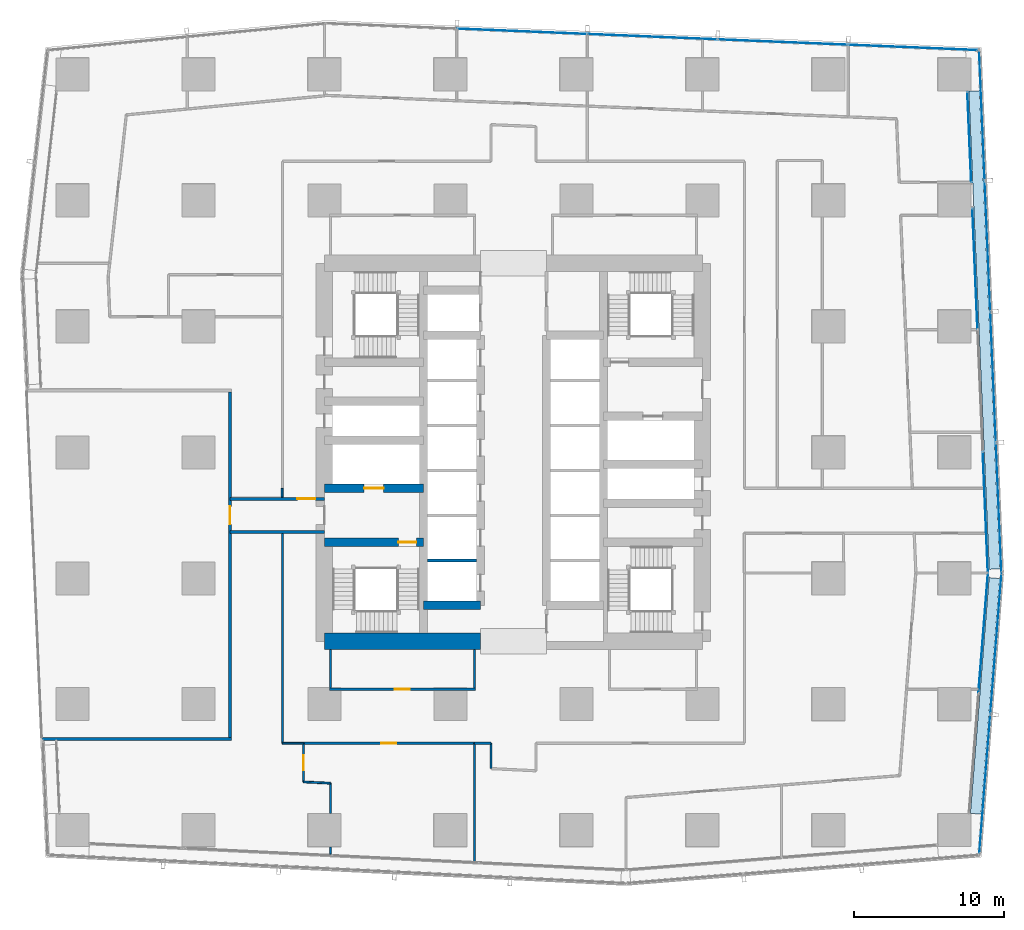
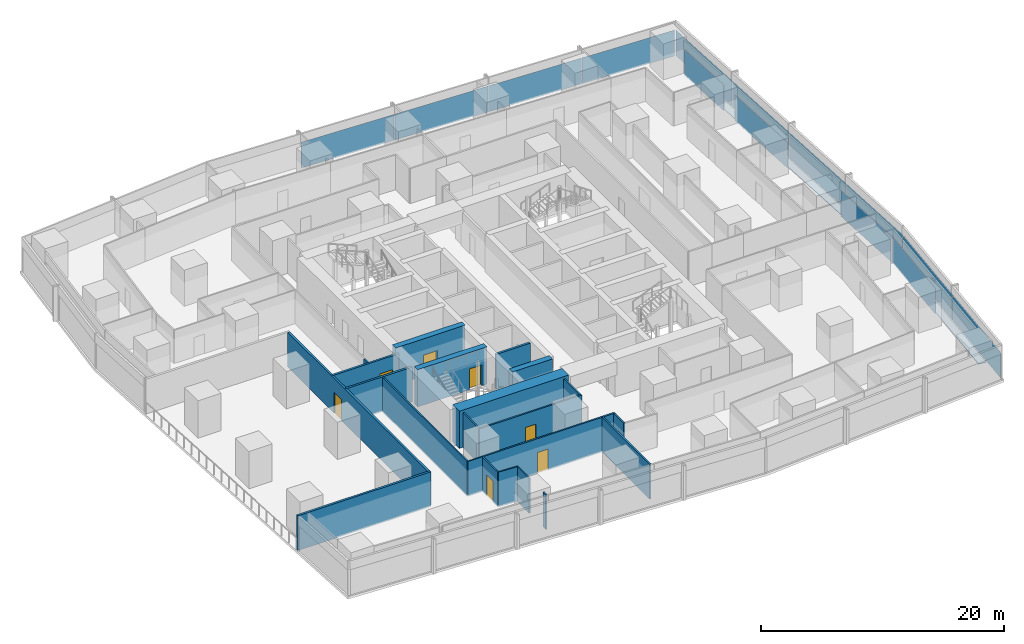
# One storey, part 29 of 42: 23 walls, 16 plates, 7 doors, 7 openings, 6 elements without a shape of their own.
"""IFC4 building model written with IfcOpenShell, lengths in metres."""

from ifc_helpers import new_model, si_unit, direction, frame, frame_2d, origin, origin_2d, place, context, subcontext, project, spatial, rectangle, extrude, material, layer, layer_set, type_object, element, fill, aggregate, save


model = new_model("IFC4")

# Units and contexts
model_context = context("Model", 3, precision=1e-05, world=origin(), true_north=direction((0.0, 1.0)))
body_context = subcontext(model_context, "Body", "Model", "MODEL_VIEW")
ifc_project = project(units=[si_unit("LENGTHUNIT", "METRE"), si_unit("AREAUNIT", "SQUARE_METRE"), si_unit("VOLUMEUNIT", "CUBIC_METRE"), si_unit("PLANEANGLEUNIT", "RADIAN"), si_unit("MASSUNIT", "GRAM", prefix="KILO")], contexts=[model_context])

# Site, building, storey
site_placement = place(None, origin())
site = spatial("IfcSite", under=ifc_project, at=site_placement, CompositionType="ELEMENT")
building_placement = place(site_placement, origin())
building = spatial("IfcBuilding", under=site, at=building_placement, Name="Rekha Terrace Tower", CompositionType="ELEMENT")
storey_placement = place(building_placement, frame((0.0, 0.0, 55.39990234375)))
storey = spatial("IfcBuildingStorey", under=building, at=storey_placement, Name="L13", CompositionType="ELEMENT", Elevation=55.39990234375)

# Curtain wall, plate
ifc_material_1 = material(Name="Aluminium framing", Category="aluminium")
curtain_wall_type_1 = type_object("IfcCurtainWallType", Name="CW1 double skin inner glazing", PredefinedType="USERDEFINED", material=ifc_material_1)
curtain_wall_1_placement = place(storey_placement, origin())
curtain_wall_1 = element("IfcCurtainWall", 1, at=curtain_wall_1_placement, inside=storey, type_object=curtain_wall_type_1, Name="CW1 double skin inner glazing", ObjectType="DOUBLE SKIN INNER GLAZING", PredefinedType="USERDEFINED")
ifc_material_2 = material(Name="Double-glazed low-e unit 32", Category="glass")
ifc_layer_1 = layer(ifc_material_2, 0.031982421875)
ifc_layer_set_1 = layer_set([ifc_layer_1], Name="Double-glazed low-e unit 32")
plate_type_1 = type_object("IfcPlateType", Name="CW1 jumbo vision panel, double-glazed low-e unit 32", PredefinedType="CURTAIN_PANEL", material=ifc_layer_set_1)
plate_1_placement = place(storey_placement, frame((69.1220703125, 21.53759765625, 0.0), z_axis=(0.0, 0.0, 1.0), x_axis=(0.079116301, 0.996865392576, 0.0)))
plate_1 = element("IfcPlate", 2, at=plate_1_placement, type_object=plate_type_1, Name="CW1 panel 2.1", PredefinedType="CURTAIN_PANEL", context=body_context, shape_type="SweptSolid", body=[
    extrude(rectangle(XDim=7.988525390625, YDim=0.031982421875, at=origin_2d()), origin(), (0.0, 0.0, 1.0), 2.60009765625),
])
aggregate(curtain_wall_1, [plate_1])

# Curtain wall, plates
curtain_wall_2_placement = place(storey_placement, origin())
curtain_wall_2 = element("IfcCurtainWall", 3, at=curtain_wall_2_placement, inside=storey, type_object=curtain_wall_type_1, Name="CW1 double skin inner glazing", ObjectType="DOUBLE SKIN INNER GLAZING", PredefinedType="USERDEFINED")
plate_2_placement = place(storey_placement, frame((69.263671875, 29.60107421875, 0.0), z_axis=(0.0, 0.0, 1.0), x_axis=(-0.042696072921, 0.999088106904, 0.0)))
plate_2 = element("IfcPlate", 4, at=plate_2_placement, type_object=plate_type_1, Name="CW1 panel 1.1", PredefinedType="CURTAIN_PANEL", context=body_context, shape_type="SweptSolid", body=[
    extrude(rectangle(XDim=8.041015625, YDim=0.031982421875, at=origin_2d()), origin(), (0.0, 0.0, 1.0), 2.60009765625),
])
plate_3_placement = place(storey_placement, frame((68.5703125, 45.83056640625, 0.0), z_axis=(0.0, 0.0, 1.0), x_axis=(-0.042696072921, 0.999088106904, 0.0)))
plate_3 = element("IfcPlate", 5, at=plate_3_placement, type_object=plate_type_1, Name="CW1 panel 3.1", PredefinedType="CURTAIN_PANEL", context=body_context, shape_type="SweptSolid", body=[
    extrude(rectangle(XDim=8.041015625, YDim=0.031982421875, at=origin_2d()), origin(), (0.0, 0.0, 1.0), 2.60009765625),
])
aggregate(curtain_wall_2, [plate_2, plate_3])

# Curtain wall, plate
curtain_wall_3_placement = place(storey_placement, origin())
curtain_wall_3 = element("IfcCurtainWall", 6, at=curtain_wall_3_placement, inside=storey, type_object=curtain_wall_type_1, Name="CW1 double skin inner glazing", ObjectType="DOUBLE SKIN INNER GLAZING", PredefinedType="USERDEFINED")
plate_4_placement = place(storey_placement, frame((68.195556640625, 54.60009765625, 0.0), z_axis=(0.0, 0.0, 1.0), x_axis=(-0.042696073026, 0.9990881069, 0.0)))
plate_4 = element("IfcPlate", 7, at=plate_4_placement, type_object=plate_type_1, Name="CW1 panel 1.1", PredefinedType="CURTAIN_PANEL", context=body_context, shape_type="SweptSolid", body=[
    extrude(rectangle(XDim=6.027587890625, YDim=0.031982421875, at=origin_2d()), origin(), (0.0, 0.0, 1.0), 2.60009765625),
])
aggregate(curtain_wall_3, [plate_4])

# Curtain wall, plates
curtain_wall_type_2 = type_object("IfcCurtainWallType", Name="CW2 double skin outer glazing", PredefinedType="USERDEFINED", material=ifc_material_1)
curtain_wall_4_placement = place(storey_placement, origin())
curtain_wall_4 = element("IfcCurtainWall", 8, at=curtain_wall_4_placement, inside=storey, type_object=curtain_wall_type_2, Name="CW2 double skin outer glazing", ObjectType="DOUBLE SKIN OUTER GLAZING", PredefinedType="USERDEFINED")
ifc_material_3 = material(Name="Toughened single glazing 12", Category="glass")
ifc_layer_2 = layer(ifc_material_3, 0.011962890625)
ifc_layer_set_2 = layer_set([ifc_layer_2], Name="Toughened single glazing 12")
plate_type_2 = type_object("IfcPlateType", Name="CW2 jumbo vision panel, toughened single glazing 12", PredefinedType="CURTAIN_PANEL", material=ifc_layer_set_2)
plate_5_placement = place(storey_placement, frame((69.22509765625, 11.45703125, 0.0), z_axis=(0.0, 0.0, 1.0), x_axis=(0.079116301017, 0.996865392575, 0.0)))
plate_5 = element("IfcPlate", 9, at=plate_5_placement, type_object=plate_type_2, Name="CW2 panel 1.1", PredefinedType="CURTAIN_PANEL", context=body_context, shape_type="SweptSolid", body=[
    extrude(rectangle(XDim=9.28662109375, YDim=0.011962890625, at=origin_2d()), origin(), (0.0, 0.0, 1.0), 2.60009765625),
])
plate_6_placement = place(storey_placement, frame((69.96923828125, 20.834228515625, 0.0), z_axis=(0.0, 0.0, 1.0), x_axis=(0.079116301017, 0.996865392575, 0.0)))
plate_6 = element("IfcPlate", 10, at=plate_6_placement, type_object=plate_type_2, Name="CW2 panel 2.1", PredefinedType="CURTAIN_PANEL", context=body_context, shape_type="SweptSolid", body=[
    extrude(rectangle(XDim=9.36669921875, YDim=0.011962890625, at=origin_2d()), origin(), (0.0, 0.0, 1.0), 2.60009765625),
])
aggregate(curtain_wall_4, [plate_5, plate_6])

curtain_wall_5_placement = place(storey_placement, origin())
curtain_wall_5 = element("IfcCurtainWall", 11, at=curtain_wall_5_placement, inside=storey, type_object=curtain_wall_type_2, Name="CW2 double skin outer glazing", ObjectType="DOUBLE SKIN OUTER GLAZING", PredefinedType="USERDEFINED")
plate_7_placement = place(storey_placement, frame((70.152099609375, 29.890869140625, 0.0), z_axis=(0.0, 0.0, 1.0), x_axis=(-0.042696072956, 0.999088106903, 0.0)))
plate_7 = element("IfcPlate", 12, at=plate_7_placement, type_object=plate_type_2, Name="CW2 panel 1.1", PredefinedType="CURTAIN_PANEL", context=body_context, shape_type="SweptSolid", body=[
    extrude(rectangle(XDim=8.623779296875, YDim=0.011962890625, at=origin_2d()), origin(), (0.0, 0.0, 1.0), 2.60009765625),
])
plate_8_placement = place(storey_placement, frame((69.77978515625, 38.606689453125, 0.0), z_axis=(0.0, 0.0, 1.0), x_axis=(-0.042696072956, 0.999088106903, 0.0)))
plate_8 = element("IfcPlate", 13, at=plate_8_placement, type_object=plate_type_2, Name="CW2 panel 2.1", PredefinedType="CURTAIN_PANEL", context=body_context, shape_type="SweptSolid", body=[
    extrude(rectangle(XDim=8.663818359375, YDim=0.011962890625, at=origin_2d()), origin(), (0.0, 0.0, 1.0), 2.60009765625),
])
plate_9_placement = place(storey_placement, frame((69.406494140625, 47.342529296875, 0.0), z_axis=(0.0, 0.0, 1.0), x_axis=(-0.042696072956, 0.999088106903, 0.0)))
plate_9 = element("IfcPlate", 14, at=plate_9_placement, type_object=plate_type_2, Name="CW2 panel 3.1", PredefinedType="CURTAIN_PANEL", context=body_context, shape_type="SweptSolid", body=[
    extrude(rectangle(XDim=8.663818359375, YDim=0.011962890625, at=origin_2d()), origin(), (0.0, 0.0, 1.0), 2.60009765625),
])
plate_10_placement = place(storey_placement, frame((69.033935546875, 56.058349609375, 0.0), z_axis=(0.0, 0.0, 1.0), x_axis=(-0.042696072956, 0.999088106903, 0.0)))
plate_10 = element("IfcPlate", 15, at=plate_10_placement, type_object=plate_type_2, Name="CW2 panel 4.1", PredefinedType="CURTAIN_PANEL", context=body_context, shape_type="SweptSolid", body=[
    extrude(rectangle(XDim=8.623779296875, YDim=0.011962890625, at=origin_2d()), origin(), (0.0, 0.0, 1.0), 2.60009765625),
])
aggregate(curtain_wall_5, [plate_7, plate_8, plate_9, plate_10])

curtain_wall_type_3 = type_object("IfcCurtainWallType", Name="CW3 north unitised glazing", PredefinedType="USERDEFINED", material=ifc_material_1)
curtain_wall_6_placement = place(storey_placement, origin())
curtain_wall_6 = element("IfcCurtainWall", 16, at=curtain_wall_6_placement, inside=storey, type_object=curtain_wall_type_3, Name="CW3 unitised curtain wall", ObjectType="UNITISED CURTAIN WALL", PredefinedType="USERDEFINED")
ifc_material_4 = material(Name="Double-glazed unit 28", Category="glass")
ifc_layer_3 = layer(ifc_material_4, 0.028076171875)
ifc_layer_set_3 = layer_set([ifc_layer_3], Name="Double-glazed unit 28")
plate_type_3 = type_object("IfcPlateType", Name="CW3 jumbo vision panel, double-glazed unit 28", PredefinedType="CURTAIN_PANEL", material=ifc_layer_set_3)
plate_11_placement = place(storey_placement, frame((64.4423828125, 60.587646484375, 0.0), z_axis=(0.0, 0.0, 1.0), x_axis=(-0.999151997647, 0.041173846041, 0.0)))
plate_11 = element("IfcPlate", 17, at=plate_11_placement, type_object=plate_type_3, Name="CW3 panel 1.1", PredefinedType="CURTAIN_PANEL", context=body_context, shape_type="SweptSolid", body=[
    extrude(rectangle(XDim=8.598876953125, YDim=0.028076171875, at=origin_2d()), origin(), (0.0, 0.0, 1.0), 2.60009765625),
])
plate_12_placement = place(storey_placement, frame((55.76318359375, 60.9453125, 0.0), z_axis=(0.0, 0.0, 1.0), x_axis=(-0.999151997647, 0.041173846041, 0.0)))
plate_12 = element("IfcPlate", 18, at=plate_12_placement, type_object=plate_type_3, Name="CW3 panel 2.1", PredefinedType="CURTAIN_PANEL", context=body_context, shape_type="SweptSolid", body=[
    extrude(rectangle(XDim=8.6337890625, YDim=0.028076171875, at=origin_2d()), origin(), (0.0, 0.0, 1.0), 2.60009765625),
])
plate_13_placement = place(storey_placement, frame((47.066650390625, 61.3037109375, 0.0), z_axis=(0.0, 0.0, 1.0), x_axis=(-0.999151997647, 0.041173846041, 0.0)))
plate_13 = element("IfcPlate", 19, at=plate_13_placement, type_object=plate_type_3, Name="CW3 panel 3.1", PredefinedType="CURTAIN_PANEL", context=body_context, shape_type="SweptSolid", body=[
    extrude(rectangle(XDim=8.6337890625, YDim=0.028076171875, at=origin_2d()), origin(), (0.0, 0.0, 1.0), 2.60009765625),
])
plate_14_placement = place(storey_placement, frame((38.370361328125, 61.662109375, 0.0), z_axis=(0.0, 0.0, 1.0), x_axis=(-0.999151997647, 0.041173846041, 0.0)))
plate_14 = element("IfcPlate", 20, at=plate_14_placement, type_object=plate_type_3, Name="CW3 panel 4.1", PredefinedType="CURTAIN_PANEL", context=body_context, shape_type="SweptSolid", body=[
    extrude(rectangle(XDim=8.6337890625, YDim=0.028076171875, at=origin_2d()), origin(), (0.0, 0.0, 1.0), 2.60009765625),
])
aggregate(curtain_wall_6, [plate_11, plate_12, plate_13, plate_14])

# Plates
ifc_material_5 = material(Name="Galvanised steel open grating", Category="steel")
ifc_layer_4 = layer(ifc_material_5, 0.050048828125)
ifc_layer_set_4 = layer_set([ifc_layer_4], Name="Galvanised steel open grating")
plate_type_4 = type_object("IfcPlateType", Name="GT1 cavity walkway grating 50", PredefinedType="USERDEFINED", material=ifc_layer_set_4)
plate_15_placement = place(storey_placement, frame((69.241455078125, 17.353515625, 0.0), z_axis=(0.0, 0.0, 1.0), x_axis=(0.079116301, 0.996865392576, 0.0)))
element("IfcPlate", 21, at=plate_15_placement, inside=storey, type_object=plate_type_4, Name="Cavity walkway grating", ObjectType="CAVITY WALKWAY GRATING", PredefinedType="USERDEFINED", context=body_context, shape_type="SweptSolid", body=[
    extrude(rectangle(XDim=15.7666015625, YDim=0.705078125, at=origin_2d()), origin(), (0.0, 0.0, 1.0), 0.050048828125),
])
plate_16_placement = place(storey_placement, frame((69.195068359375, 41.75, 0.0), z_axis=(0.0, 0.0, 1.0), x_axis=(-0.042696072939, 0.999088106903, 0.0)))
element("IfcPlate", 22, at=plate_16_placement, inside=storey, type_object=plate_type_4, Name="Cavity walkway grating", ObjectType="CAVITY WALKWAY GRATING", PredefinedType="USERDEFINED", context=body_context, shape_type="SweptSolid", body=[
    extrude(rectangle(XDim=31.9072265625, YDim=0.705078125, at=origin_2d()), origin(), (0.0, 0.0, 1.0), 0.050048828125),
])

# Wall
ifc_material_6 = material(Name="Concrete M70", Category="concrete")
ifc_layer_5 = layer(ifc_material_6, 0.550048828125)
ifc_layer_set_5 = layer_set([ifc_layer_5], Name="Concrete M70")
wall_type_1 = type_object("IfcWallType", Name="CI1 550 core internal shear wall", PredefinedType="SHEAR", material=ifc_layer_set_5)
wall_1_placement = place(storey_placement, frame((31.800048828125, 23.39990234375, 0.0), z_axis=(0.0, 0.0, 1.0), x_axis=(1.0, 0.0, 0.0)))
element("IfcWall", 23, at=wall_1_placement, inside=storey, type_object=wall_type_1, Name="Core wall Y234W L13", PredefinedType="SHEAR", context=body_context, shape_type="SweptSolid", body=[
    extrude(rectangle(XDim=3.800048828125, YDim=0.550048828125, at=frame_2d((1.89990234375, 0.0))), origin(), (0.0, 0.0, 1.0), 3.75),
])

# Wall, opening, door
wall_2_placement = place(storey_placement, frame((25.199951171875, 27.60009765625, 0.0), z_axis=(0.0, 0.0, 1.0), x_axis=(1.0, 0.0, 0.0)))
wall_2 = element("IfcWall", 24, at=wall_2_placement, inside=storey, type_object=wall_type_1, Name="Core wall Y276W L13", PredefinedType="SHEAR", context=body_context, shape_type="SweptSolid", body=[
    extrude(rectangle(XDim=6.60009765625, YDim=0.550048828125, at=frame_2d((3.300048828125, 0.0))), origin(), (0.0, 0.0, 1.0), 3.75),
])
opening_1_placement = place(wall_2_placement, frame((4.925048828125, 0.0, 0.0)))
opening_1 = element("IfcOpeningElement", 25, at=opening_1_placement, cuts=wall_2, Name="Opening D1", PredefinedType="OPENING", context=body_context, shape_type="SweptSolid", body=[
    extrude(rectangle(XDim=1.199951171875, YDim=2.10009765625, at=frame_2d((0.60009765625, 1.050048828125))), frame((0.0, 0.284912109375, 0.0), z_axis=(0.0, -1.0, 0.0), x_axis=(1.0, 0.0, 0.0)), (0.0, 0.0, 1.0), 0.570068359375),
])
ifc_material_7 = material(Name="Steel fire door", Category="steel")
door_type_1 = type_object("IfcDoorType", Name="D1 1200x2100 stair fire door", OperationType="SINGLE_SWING_RIGHT", PredefinedType="DOOR", material=ifc_material_7)
door_1_placement = place(opening_1_placement, origin())
door_1 = element("IfcDoor", 26, at=door_1_placement, inside=storey, type_object=door_type_1, Name="Stair ST1 door L13", OperationType="SINGLE_SWING_RIGHT", OverallHeight=2.10009765625, OverallWidth=1.199951171875, PredefinedType="DOOR", context=body_context, shape_type="SweptSolid", body=[
    extrude(rectangle(XDim=1.199951171875, YDim=2.10009765625, at=frame_2d((0.60009765625, 1.050048828125))), frame((0.0, 0.02490234375, 0.0), z_axis=(0.0, -1.0, 0.0), x_axis=(1.0, 0.0, 0.0)), (0.0, 0.0, 1.0), 0.050048828125),
])
fill(opening_1, door_1)

wall_3_placement = place(storey_placement, frame((25.199951171875, 31.199951171875, 0.0), z_axis=(0.0, 0.0, 1.0), x_axis=(1.0, 0.0, 0.0)))
wall_3 = element("IfcWall", 27, at=wall_3_placement, inside=storey, type_object=wall_type_1, Name="Core wall Y312W L13", PredefinedType="SHEAR", context=body_context, shape_type="SweptSolid", body=[
    extrude(rectangle(XDim=6.60009765625, YDim=0.550048828125, at=frame_2d((3.300048828125, 0.0))), origin(), (0.0, 0.0, 1.0), 3.75),
])
opening_2_placement = place(wall_3_placement, frame((2.64990234375, 0.0, 0.0)))
opening_2 = element("IfcOpeningElement", 28, at=opening_2_placement, cuts=wall_3, Name="Opening LD2", PredefinedType="OPENING", context=body_context, shape_type="SweptSolid", body=[
    extrude(rectangle(XDim=1.300048828125, YDim=2.10009765625, at=frame_2d((0.64990234375, 1.050048828125))), frame((0.0, 0.284912109375, 0.0), z_axis=(0.0, -1.0, 0.0), x_axis=(1.0, 0.0, 0.0)), (0.0, 0.0, 1.0), 0.570068359375),
])
ifc_material_8 = material(Name="Stainless steel sliding landing door", Category="steel")
door_type_2 = type_object("IfcDoorType", Name="LD2 1300x2100 fire lift landing door", OperationType="SLIDING_TO_LEFT", PredefinedType="USERDEFINED", material=ifc_material_8)
door_2_placement = place(opening_2_placement, origin())
door_2 = element("IfcDoor", 29, at=door_2_placement, inside=storey, type_object=door_type_2, Name="Lift FL1 landing door L13", ObjectType="LIFT LANDING DOOR", OperationType="SLIDING_TO_LEFT", OverallHeight=2.10009765625, OverallWidth=1.300048828125, PredefinedType="USERDEFINED", context=body_context, shape_type="SweptSolid", body=[
    extrude(rectangle(XDim=1.300048828125, YDim=2.10009765625, at=frame_2d((0.64990234375, 1.050048828125))), frame((0.0, 0.02490234375, 0.0), z_axis=(0.0, -1.0, 0.0), x_axis=(1.0, 0.0, 0.0)), (0.0, 0.0, 1.0), 0.050048828125),
])
fill(opening_2, door_2)

# Wall
ifc_layer_6 = layer(ifc_material_6, 1.10009765625)
ifc_layer_set_6 = layer_set([ifc_layer_6], Name="Concrete M70")
wall_type_2 = type_object("IfcWallType", Name="SW1 1100 core outer shear wall", PredefinedType="SHEAR", material=ifc_layer_set_6)
wall_4_placement = place(storey_placement, frame((25.199951171875, 21.0, 0.0), z_axis=(0.0, 0.0, 1.0), x_axis=(1.0, 0.0, 0.0)))
element("IfcWall", 30, at=wall_4_placement, inside=storey, type_object=wall_type_2, Name="Core wall S1 L13", PredefinedType="SHEAR", context=body_context, shape_type="SweptSolid", body=[
    extrude(rectangle(XDim=10.400146484375, YDim=1.10009765625, at=frame_2d((5.2001953125, 0.0))), origin(), (0.0, 0.0, 1.0), 3.75),
])

# Wall, opening, door
ifc_material_9 = material(Name="Concrete block masonry, 1 hour", Category="masonry")
ifc_layer_7 = layer(ifc_material_9, 0.14990234375)
ifc_layer_set_7 = layer_set([ifc_layer_7], Name="Concrete block masonry, 1 hour")
wall_type_3 = type_object("IfcWallType", Name="WP2 150 tenancy partition", PredefinedType="PARTITIONING", material=ifc_layer_set_7)
wall_5_placement = place(storey_placement, frame((25.52490234375, 17.800048828125, 0.0), z_axis=(0.0, 0.0, 1.0), x_axis=(1.0, 0.0, 0.0)))
wall_5 = element("IfcWall", 31, at=wall_5_placement, inside=storey, type_object=wall_type_3, Name="Men's WC wall L13", PredefinedType="PARTITIONING", context=body_context, shape_type="SweptSolid", body=[
    extrude(rectangle(XDim=9.75, YDim=0.14990234375, at=frame_2d((4.875, 0.0))), origin(), (0.0, 0.0, 1.0), 3.5),
])
opening_3_placement = place(wall_5_placement, frame((4.375, 0.0, 0.0)))
opening_3 = element("IfcOpeningElement", 32, at=opening_3_placement, cuts=wall_5, Name="Opening D3", PredefinedType="OPENING", context=body_context, shape_type="SweptSolid", body=[
    extrude(rectangle(XDim=1.0, YDim=2.10009765625, at=frame_2d((0.5, 1.050048828125))), frame((0.0, 0.0849609375, 0.0), z_axis=(0.0, -1.0, 0.0), x_axis=(1.0, 0.0, 0.0)), (0.0, 0.0, 1.0), 0.169921875),
])
ifc_material_10 = material(Name="Laminated timber fire door", Category="wood")
door_type_3 = type_object("IfcDoorType", Name="D3 1000x2100 WC door", OperationType="SINGLE_SWING_LEFT", PredefinedType="DOOR", material=ifc_material_10)
door_3_placement = place(opening_3_placement, origin())
door_3 = element("IfcDoor", 33, at=door_3_placement, inside=storey, type_object=door_type_3, Name="Door men's wc L13", OperationType="SINGLE_SWING_LEFT", OverallHeight=2.10009765625, OverallWidth=1.0, PredefinedType="DOOR", context=body_context, shape_type="SweptSolid", body=[
    extrude(rectangle(XDim=1.0, YDim=2.10009765625, at=frame_2d((0.5, 1.050048828125))), frame((0.0, 0.02490234375, 0.0), z_axis=(0.0, -1.0, 0.0), x_axis=(1.0, 0.0, 0.0)), (0.0, 0.0, 1.0), 0.050048828125),
])
fill(opening_3, door_3)

# Walls
for number, where, z_axis, x_axis, name in (
    (34, (25.60009765625, 17.875, 0.0), (0.0, 0.0, 1.0), (0.0, 1.0, 0.0), "Men's WC wall L13"),
    (35, (35.199951171875, 17.875, 0.0), (0.0, 0.0, 1.0), (0.0, 1.0, 0.0), "Men's WC wall L13"),
):
    element("IfcWall", number, at=place(storey_placement, frame(where, z_axis=z_axis, x_axis=x_axis)), inside=storey, type_object=wall_type_3, Name=name, PredefinedType="PARTITIONING", context=body_context, shape_type="SweptSolid", body=[
        extrude(rectangle(XDim=2.574951171875, YDim=0.14990234375, at=frame_2d((1.28759765625, 0.0))), origin(), (0.0, 0.0, 1.0), 3.5),
    ])
wall_6_placement = place(storey_placement, frame((35.200927734375, 6.306884765625, 0.0), z_axis=(0.0, 0.0, 1.0), x_axis=(0.0, 1.0, 0.0)))
element("IfcWall", 36, at=wall_6_placement, inside=storey, type_object=wall_type_3, Name="Partition L13-O1", PredefinedType="PARTITIONING", context=body_context, shape_type="SweptSolid", body=[
    extrude(rectangle(XDim=7.89306640625, YDim=0.14990234375, at=frame_2d((3.946533203125, 0.0))), origin(), (0.0, 0.0, 1.0), 3.5),
])
wall_7_placement = place(storey_placement, frame((35.200927734375, 14.199951171875, 0.0), z_axis=(0.0, 0.0, 1.0), x_axis=(1.0, 0.0, 0.0)))
element("IfcWall", 37, at=wall_7_placement, inside=storey, type_object=wall_type_3, Name="Partition L13-O1", PredefinedType="PARTITIONING", context=body_context, shape_type="SweptSolid", body=[
    extrude(rectangle(XDim=1.09912109375, YDim=0.14990234375, at=frame_2d((0.549560546875, 0.0))), origin(), (0.0, 0.0, 1.0), 3.5),
])
wall_8_placement = place(storey_placement, frame((36.300048828125, 14.199951171875, 0.0), z_axis=(0.0, 0.0, 1.0), x_axis=(0.0, -1.0, 0.0)))
element("IfcWall", 38, at=wall_8_placement, inside=storey, type_object=wall_type_3, Name="Partition L13-O1", PredefinedType="PARTITIONING", context=body_context, shape_type="SweptSolid", body=[
    extrude(rectangle(XDim=1.68994140625, YDim=0.14990234375, at=frame_2d((0.844970703125, 0.0))), origin(), (0.0, 0.0, 1.0), 3.5),
])

# Wall, opening, door
wall_9_placement = place(storey_placement, frame((23.801025390625, 14.199951171875, 0.0), z_axis=(0.0, 0.0, 1.0), x_axis=(1.0, 0.0, 0.0)))
wall_9 = element("IfcWall", 39, at=wall_9_placement, inside=storey, type_object=wall_type_3, Name="Partition L13-O5", PredefinedType="PARTITIONING", context=body_context, shape_type="SweptSolid", body=[
    extrude(rectangle(XDim=11.39892578125, YDim=0.14990234375, at=frame_2d((5.699462890625, 0.0))), origin(), (0.0, 0.0, 1.0), 3.5),
])
opening_4_placement = place(wall_9_placement, frame((5.199951171875, 0.0, 0.0)))
opening_4 = element("IfcOpeningElement", 40, at=opening_4_placement, cuts=wall_9, Name="Opening D9", PredefinedType="OPENING", context=body_context, shape_type="SweptSolid", body=[
    extrude(rectangle(XDim=1.0, YDim=2.10009765625, at=frame_2d((0.5, 1.050048828125))), frame((0.0, 0.0849609375, 0.0), z_axis=(0.0, -1.0, 0.0), x_axis=(1.0, 0.0, 0.0)), (0.0, 0.0, 1.0), 0.169921875),
])
ifc_material_11 = material(Name="Timber fire door", Category="wood")
door_type_4 = type_object("IfcDoorType", Name="D9 1000x2100 office door", OperationType="SINGLE_SWING_LEFT", PredefinedType="DOOR", material=ifc_material_11)
door_4_placement = place(opening_4_placement, origin())
door_4 = element("IfcDoor", 41, at=door_4_placement, inside=storey, type_object=door_type_4, Name="Door open-plan office L13", OperationType="SINGLE_SWING_LEFT", OverallHeight=2.10009765625, OverallWidth=1.0, PredefinedType="DOOR", context=body_context, shape_type="SweptSolid", body=[
    extrude(rectangle(XDim=1.0, YDim=2.10009765625, at=frame_2d((0.5, 1.050048828125))), frame((0.0, 0.02490234375, 0.0), z_axis=(0.0, -1.0, 0.0), x_axis=(1.0, 0.0, 0.0)), (0.0, 0.0, 1.0), 0.050048828125),
])
fill(opening_4, door_4)

# Walls
ifc_material_12 = material(Name="Two layers of fire-rated gypsum board each side on steel studs, acoustic quilt, 1 hour", Category="steel")
ifc_layer_8 = layer(ifc_material_12, 0.125)
ifc_layer_set_8 = layer_set([ifc_layer_8], Name="Two layers of fire-rated gypsum board each side on steel studs, acoustic quilt, 1 hour")
wall_type_4 = type_object("IfcWallType", Name="WP3 125 office partition", PredefinedType="PARTITIONING", material=ifc_layer_set_8)
wall_10_placement = place(storey_placement, frame((22.375, 31.199951171875, 0.0), z_axis=(0.0, 0.0, 1.0), x_axis=(0.0, -1.0, 0.0)))
element("IfcWall", 42, at=wall_10_placement, inside=storey, type_object=wall_type_4, Name="Partition L13-16", PredefinedType="PARTITIONING", context=body_context, shape_type="SweptSolid", body=[
    extrude(rectangle(XDim=0.5888671875, YDim=0.125, at=frame_2d((0.29443359375, 0.0))), origin(), (0.0, 0.0, 1.0), 3.5),
])
wall_11_placement = place(storey_placement, frame((22.39990234375, 28.18896484375, 0.0), z_axis=(0.0, 0.0, 1.0), x_axis=(0.0, -1.0, 0.0)))
element("IfcWall", 43, at=wall_11_placement, inside=storey, type_object=wall_type_4, Name="Partition L13-18", PredefinedType="PARTITIONING", context=body_context, shape_type="SweptSolid", body=[
    extrude(rectangle(XDim=13.989013671875, YDim=0.125, at=frame_2d((6.99462890625, 0.0))), origin(), (0.0, 0.0, 1.0), 3.5),
])
wall_12_placement = place(storey_placement, frame((22.39990234375, 14.199951171875, 0.0), z_axis=(0.0, 0.0, 1.0), x_axis=(1.0, 0.0, 0.0)))
element("IfcWall", 44, at=wall_12_placement, inside=storey, type_object=wall_type_4, Name="Partition L13-18", PredefinedType="PARTITIONING", context=body_context, shape_type="SweptSolid", body=[
    extrude(rectangle(XDim=1.401123046875, YDim=0.125, at=frame_2d((0.70068359375, 0.0))), origin(), (0.0, 0.0, 1.0), 3.5),
])

# Wall, opening, door
wall_13_placement = place(storey_placement, frame((23.801025390625, 14.199951171875, 0.0), z_axis=(0.0, 0.0, 1.0), x_axis=(0.0, -1.0, 0.0)))
wall_13 = element("IfcWall", 45, at=wall_13_placement, inside=storey, type_object=wall_type_4, Name="Partition L13-18", PredefinedType="PARTITIONING", context=body_context, shape_type="SweptSolid", body=[
    extrude(rectangle(XDim=2.577880859375, YDim=0.125, at=frame_2d((1.2890625, 0.0))), origin(), (0.0, 0.0, 1.0), 3.5),
])
opening_5_placement = place(wall_13_placement, frame((0.7890625, 0.0, 0.0)))
opening_5 = element("IfcOpeningElement", 46, at=opening_5_placement, cuts=wall_13, Name="Opening D9", PredefinedType="OPENING", context=body_context, shape_type="SweptSolid", body=[
    extrude(rectangle(XDim=1.0, YDim=2.10009765625, at=frame_2d((0.5, 1.050048828125))), frame((0.0, 0.072509765625, 0.0), z_axis=(0.0, -1.0, 0.0), x_axis=(1.0, 0.0, 0.0)), (0.0, 0.0, 1.0), 0.14501953125),
])
door_5_placement = place(opening_5_placement, origin())
door_5 = element("IfcDoor", 47, at=door_5_placement, inside=storey, type_object=door_type_4, Name="Door director's office L13", OperationType="SINGLE_SWING_LEFT", OverallHeight=2.10009765625, OverallWidth=1.0, PredefinedType="DOOR", context=body_context, shape_type="SweptSolid", body=[
    extrude(rectangle(XDim=1.0, YDim=2.10009765625, at=frame_2d((0.5, 1.050048828125))), frame((0.0, 0.02490234375, 0.0), z_axis=(0.0, -1.0, 0.0), x_axis=(1.0, 0.0, 0.0)), (0.0, 0.0, 1.0), 0.050048828125),
])
fill(opening_5, door_5)

# Walls
wall_14_placement = place(storey_placement, frame((23.801025390625, 11.6220703125, 0.0), z_axis=(0.0, 0.0, 1.0), x_axis=(0.998802194098, -0.048930328684, 0.0)))
element("IfcWall", 48, at=wall_14_placement, inside=storey, type_object=wall_type_4, Name="Partition L13-18", PredefinedType="PARTITIONING", context=body_context, shape_type="SweptSolid", body=[
    extrude(rectangle(XDim=1.80126953125, YDim=0.125, at=frame_2d((0.900634765625, 0.0))), origin(), (0.0, 0.0, 1.0), 3.5),
])
wall_15_placement = place(storey_placement, frame((25.60009765625, 11.533935546875, 0.0), z_axis=(0.0, 0.0, 1.0), x_axis=(0.0, -1.0, 0.0)))
element("IfcWall", 49, at=wall_15_placement, inside=storey, type_object=wall_type_4, Name="Partition L13-18", PredefinedType="PARTITIONING", context=body_context, shape_type="SweptSolid", body=[
    extrude(rectangle(XDim=2.013916015625, YDim=0.125, at=frame_2d((1.0068359375, 0.0))), origin(), (0.0, 0.0, 1.0), 3.5),
])
wall_16_placement = place(storey_placement, frame((25.60009765625, 7.280029296875, 0.0), z_axis=(0.0, 0.0, 1.0), x_axis=(0.0, -1.0, 0.0)))
element("IfcWall", 50, at=wall_16_placement, inside=storey, type_object=wall_type_4, Name="Partition L13-18", PredefinedType="PARTITIONING", context=body_context, shape_type="SweptSolid", body=[
    extrude(rectangle(XDim=0.471923828125, YDim=0.125, at=frame_2d((0.23583984375, 0.0))), origin(), (0.0, 0.0, 1.0), 3.5),
])
ifc_material_13 = material(Name="Solid concrete block masonry, 2 hour", Category="masonry")
ifc_layer_9 = layer(ifc_material_13, 0.199951171875)
ifc_layer_set_9 = layer_set([ifc_layer_9], Name="Solid concrete block masonry, 2 hour")
wall_type_5 = type_object("IfcWallType", Name="WS1 200 stair and shaft enclosure", PredefinedType="PARTITIONING", material=ifc_layer_set_9)
wall_17_placement = place(storey_placement, frame((32.074951171875, 26.39990234375, 0.0), z_axis=(0.0, 0.0, 1.0), x_axis=(1.0, 0.0, 0.0)))
element("IfcWall", 51, at=wall_17_placement, inside=storey, type_object=wall_type_5, Name="Lift shaft divider L13", PredefinedType="PARTITIONING", context=body_context, shape_type="SweptSolid", body=[
    extrude(rectangle(XDim=3.25, YDim=0.199951171875, at=frame_2d((1.625, 0.0))), origin(), (0.0, 0.0, 1.0), 3.5),
])

# Wall, opening, door
wall_18_placement = place(storey_placement, frame((18.89990234375, 14.596923828125, 0.0), z_axis=(0.0, 0.0, 1.0), x_axis=(0.0, 1.0, 0.0)))
wall_18 = element("IfcWall", 52, at=wall_18_placement, inside=storey, type_object=wall_type_5, Name="Refuge area inner wall L13", PredefinedType="PARTITIONING", context=body_context, shape_type="SweptSolid", body=[
    extrude(rectangle(XDim=23.032958984375, YDim=0.199951171875, at=frame_2d((11.5166015625, 0.0))), origin(), (0.0, 0.0, 1.0), 3.5),
])
opening_6_placement = place(wall_18_placement, frame((14.202880859375, 0.0, 0.0)))
opening_6 = element("IfcOpeningElement", 53, at=opening_6_placement, cuts=wall_18, Name="Opening D2", PredefinedType="OPENING", context=body_context, shape_type="SweptSolid", body=[
    extrude(rectangle(XDim=1.199951171875, YDim=2.10009765625, at=frame_2d((0.60009765625, 1.050048828125))), frame((0.0, 0.10986328125, 0.0), z_axis=(0.0, -1.0, 0.0), x_axis=(1.0, 0.0, 0.0)), (0.0, 0.0, 1.0), 0.219970703125),
])
door_type_5 = type_object("IfcDoorType", Name="D2 1200x2100 firefighting lobby door", OperationType="SINGLE_SWING_LEFT", PredefinedType="DOOR", material=ifc_material_7)
door_6_placement = place(opening_6_placement, origin())
door_6 = element("IfcDoor", 54, at=door_6_placement, inside=storey, type_object=door_type_5, Name="Refuge area door L13", OperationType="SINGLE_SWING_LEFT", OverallHeight=2.10009765625, OverallWidth=1.199951171875, PredefinedType="DOOR", context=body_context, shape_type="SweptSolid", body=[
    extrude(rectangle(XDim=1.199951171875, YDim=2.10009765625, at=frame_2d((0.60009765625, 1.050048828125))), frame((0.0, 0.02490234375, 0.0), z_axis=(0.0, -1.0, 0.0), x_axis=(1.0, 0.0, 0.0)), (0.0, 0.0, 1.0), 0.050048828125),
])
fill(opening_6, door_6)

# Wall
wall_19_placement = place(storey_placement, frame((6.35498046875, 14.4970703125, 0.0), z_axis=(0.0, 0.0, 1.0), x_axis=(1.0, 0.0, 0.0)))
element("IfcWall", 55, at=wall_19_placement, inside=storey, type_object=wall_type_5, Name="Refuge area south wall L13", PredefinedType="PARTITIONING", context=body_context, shape_type="SweptSolid", body=[
    extrude(rectangle(XDim=12.64501953125, YDim=0.199951171875, at=frame_2d((6.322509765625, 0.0))), origin(), (0.0, 0.0, 1.0), 3.5),
])

# Wall, opening, door
wall_20_placement = place(storey_placement, frame((18.89990234375, 30.5, 0.0), z_axis=(0.0, 0.0, 1.0), x_axis=(1.0, 0.0, 0.0)))
wall_20 = element("IfcWall", 56, at=wall_20_placement, inside=storey, type_object=wall_type_5, Name="Refuge corridor north wall L13", PredefinedType="PARTITIONING", context=body_context, shape_type="SweptSolid", body=[
    extrude(rectangle(XDim=6.300048828125, YDim=0.199951171875, at=frame_2d((3.14990234375, 0.0))), origin(), (0.0, 0.0, 1.0), 3.5),
])
opening_7_placement = place(wall_20_placement, frame((4.5, 0.0, 0.0)))
opening_7 = element("IfcOpeningElement", 57, at=opening_7_placement, cuts=wall_20, Name="Opening D2", PredefinedType="OPENING", context=body_context, shape_type="SweptSolid", body=[
    extrude(rectangle(XDim=1.199951171875, YDim=2.10009765625, at=frame_2d((0.60009765625, 1.050048828125))), frame((0.0, 0.10986328125, 0.0), z_axis=(0.0, -1.0, 0.0), x_axis=(1.0, 0.0, 0.0)), (0.0, 0.0, 1.0), 0.219970703125),
])
door_7_placement = place(opening_7_placement, origin())
door_7 = element("IfcDoor", 58, at=door_7_placement, inside=storey, type_object=door_type_5, Name="Refuge corridor door L13", OperationType="SINGLE_SWING_LEFT", OverallHeight=2.10009765625, OverallWidth=1.199951171875, PredefinedType="DOOR", context=body_context, shape_type="SweptSolid", body=[
    extrude(rectangle(XDim=1.199951171875, YDim=2.10009765625, at=frame_2d((0.60009765625, 1.050048828125))), frame((0.0, 0.02490234375, 0.0), z_axis=(0.0, -1.0, 0.0), x_axis=(1.0, 0.0, 0.0)), (0.0, 0.0, 1.0), 0.050048828125),
])
fill(opening_7, door_7)

# Wall
wall_21_placement = place(storey_placement, frame((18.89990234375, 28.300048828125, 0.0), z_axis=(0.0, 0.0, 1.0), x_axis=(1.0, 0.0, 0.0)))
element("IfcWall", 59, at=wall_21_placement, inside=storey, type_object=wall_type_5, Name="Refuge corridor south wall L13", PredefinedType="PARTITIONING", context=body_context, shape_type="SweptSolid", body=[
    extrude(rectangle(XDim=6.300048828125, YDim=0.199951171875, at=frame_2d((3.14990234375, 0.0))), origin(), (0.0, 0.0, 1.0), 3.5),
])

save(model, "model.ifc")
